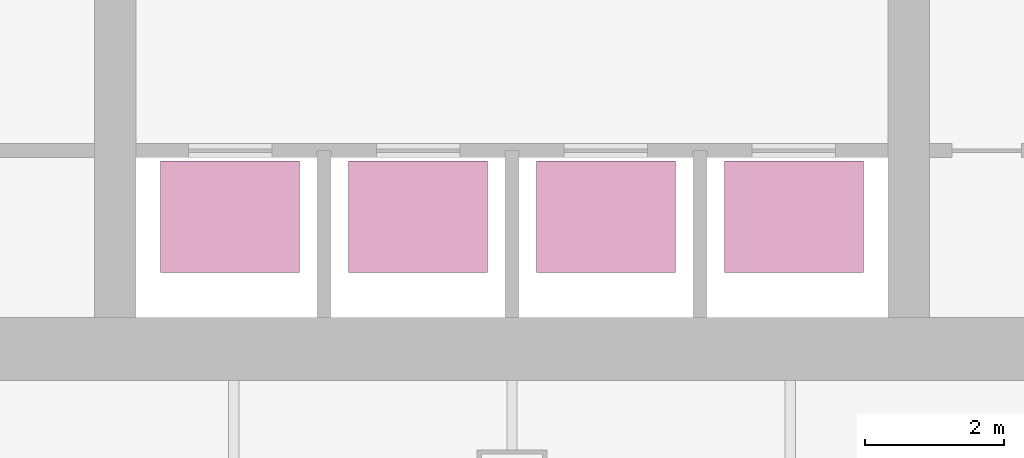
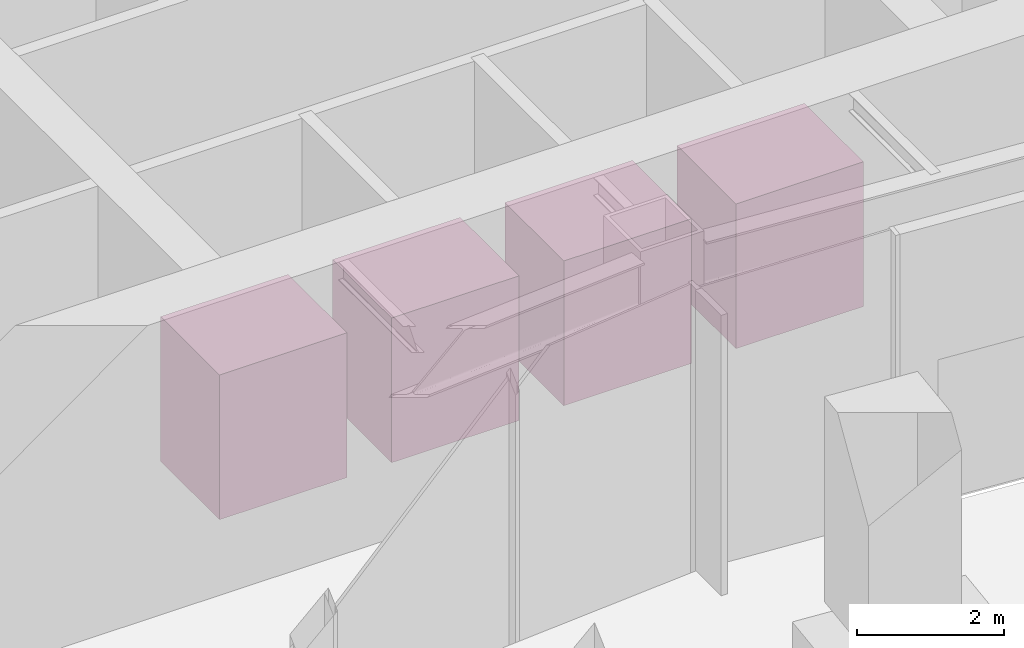
# One storey, part 15 of 16: 4 transport elements.
"""IFC4 building model written with IfcOpenShell, lengths in metres."""

import ifcopenshell
import ifcopenshell.guid

model = None  # the IFC model being written
_history = None  # IfcOwnerHistory: only IFC2X3 demands one
_inside = {}  # id of a spatial element -> (the spatial element, [elements in it])
_under = {}  # id of a project, library or spatial element -> (it, [spatial elements below it])
_declared = {}  # id of a project -> (the project, [libraries it declares])
_typed = {}  # id of a type object -> (the type object, [elements of that type])
_made_of = {}  # id of a material, layer set ... -> (it, [elements and type objects made of it])


def new_model(schema):
    """Start an empty IFC model of exactly this schema.

    Asked for "IFC4X3", IfcOpenShell would pick the latest addendum, in which some entities
    have other attributes; the version numbers below select the first issue.
    IFC2X3 requires an IfcOwnerHistory on every rooted entity: one is made here for all.
    """
    global model, _history
    if schema == "IFC4X3":
        model = ifcopenshell.file(schema_version=(4, 3, 0, 0))
    else:
        model = ifcopenshell.file(schema=schema)
    _inside.clear()
    _under.clear()
    _declared.clear()
    _typed.clear()
    _made_of.clear()
    _history = None
    if model.schema == "IFC2X3":
        org = make("IfcOrganization", Name="unknown")
        user = make(
            "IfcPersonAndOrganization",
            ThePerson=make("IfcPerson", FamilyName="unknown"),
            TheOrganization=org,
        )
        app = make(
            "IfcApplication",
            ApplicationDeveloper=org,
            Version="unknown",
            ApplicationFullName="unknown",
            ApplicationIdentifier="unknown",
        )
        _history = make(
            "IfcOwnerHistory",
            OwningUser=user,
            OwningApplication=app,
            ChangeAction="ADDED",
            CreationDate=0,
        )
    return model


def make(cls, **values):
    """One entity of the class cls with the attributes given. An attribute that is None is left unset."""
    return model.create_entity(
        cls, **{name: value for name, value in values.items() if value is not None}
    )


def rooted(cls, **values):
    """An entity with a GlobalId (a new one), such as an element, a storey or a relation."""
    return make(cls, GlobalId=ifcopenshell.guid.new(), OwnerHistory=_history, **values)


def si_unit(unit_type, name, prefix=None):
    """IfcSIUnit, for example si_unit("LENGTHUNIT", "METRE", prefix="MILLI")."""
    return make("IfcSIUnit", UnitType=unit_type, Prefix=prefix, Name=name)


def assignment(units):
    """IfcUnitAssignment: the units of a project."""
    return None if units is None else make("IfcUnitAssignment", Units=units)


def point(xyz):
    """IfcCartesianPoint."""
    return None if xyz is None else make("IfcCartesianPoint", Coordinates=xyz)


def direction(xyz):
    """IfcDirection."""
    return None if xyz is None else make("IfcDirection", DirectionRatios=xyz)


def frame(location, z_axis=None, x_axis=None):
    """IfcAxis2Placement3D, a coordinate frame: its origin and axes. An axis left out is left unset."""
    return make(
        "IfcAxis2Placement3D",
        Location=point(location),
        Axis=direction(z_axis),
        RefDirection=direction(x_axis),
    )


def frame_2d(location, x_axis=None):
    """IfcAxis2Placement2D, a coordinate frame in the plane: its origin and x axis."""
    return make(
        "IfcAxis2Placement2D", Location=point(location), RefDirection=direction(x_axis)
    )


def origin():
    """The frame at (0, 0, 0) with its axes left unset."""
    return frame((0.0, 0.0, 0.0))


def origin_2d():
    """The frame at (0, 0) in the plane with its x axis left unset."""
    return frame_2d((0.0, 0.0))


def place(relative_to, where):
    """IfcLocalPlacement: puts the frame where relative to a parent placement (None: the world)."""
    return make(
        "IfcLocalPlacement", PlacementRelTo=relative_to, RelativePlacement=where
    )


def context(
    kind, dimensions, precision=None, world=None, true_north=None, identifier=None
):
    """IfcGeometricRepresentationContext, for example the 3D "Model" context."""
    return make(
        "IfcGeometricRepresentationContext",
        ContextIdentifier=identifier,
        ContextType=kind,
        CoordinateSpaceDimension=dimensions,
        Precision=precision,
        WorldCoordinateSystem=world,
        TrueNorth=true_north,
    )


def subcontext(parent, identifier, kind, view, scale=None):
    """IfcGeometricRepresentationSubContext, for example "Body" below "Model"."""
    return make(
        "IfcGeometricRepresentationSubContext",
        ContextIdentifier=identifier,
        ContextType=kind,
        ParentContext=parent,
        TargetScale=scale,
        TargetView=view,
    )


def project(units=None, contexts=None):
    """IfcProject with its units and contexts."""
    return rooted(
        "IfcProject",
        Name="project",
        RepresentationContexts=contexts,
        UnitsInContext=assignment(units),
    )


def spatial(cls, under=None, at=None, **own):
    """A site, building, storey or space (cls), placed at a placement, below another one or the project."""
    s = rooted(cls, ObjectPlacement=at, **own)
    if under is not None:
        _under.setdefault(under.id(), (under, []))[1].append(s)
    return s


def profile(cls, at=None, kind="AREA", **sizes):
    """A parametric profile (cls). Its sizes go by their IFC names, for example OverallWidth=200.0."""
    return make(cls, ProfileType=kind, Position=at, **sizes)


def rectangle(**sizes):
    """IfcRectangleProfileDef."""
    return profile("IfcRectangleProfileDef", **sizes)


def extrude(swept, where, along, depth):
    """IfcExtrudedAreaSolid: the profile swept, set in the frame where, extruded along a direction by depth."""
    return make(
        "IfcExtrudedAreaSolid",
        SweptArea=swept,
        Position=where,
        ExtrudedDirection=direction(along),
        Depth=depth,
    )


def shape(context_of_items, identifier, shape_type, items):
    """IfcShapeRepresentation: the items that make up one representation, for example the "Body"."""
    return make(
        "IfcShapeRepresentation",
        ContextOfItems=context_of_items,
        RepresentationIdentifier=identifier,
        RepresentationType=shape_type,
        Items=items,
    )


def material(Name=None, Category=None):
    """IfcMaterial."""
    return make("IfcMaterial", Name=Name, Category=Category)


def made_of(thing, what):
    """Note that an element or type object is made of a material, layer set ...; save() writes the relation."""
    if what is not None:
        _made_of.setdefault(what.id(), (what, []))[1].append(thing)
    return thing


def type_object(cls, material=None, **own):
    """A type object (cls), such as IfcWallType, which elements share."""
    return made_of(rooted(cls, **own), material)


def element(
    cls,
    number,
    at=None,
    inside=None,
    cuts=None,
    type_object=None,
    material=None,
    context=None,
    identifier="Body",
    shape_type=None,
    held_by="IfcProductDefinitionShape",
    body=None,
    shapes=None,
    **own,
):
    """One element of the class cls, such as IfcWall. Its Tag is "e" and its number.

    at: its placement. inside: the storey or other place that contains it. cuts: it is an
    opening in that element (IfcRelVoidsElement). A single representation is given by context,
    identifier, shape_type and body (its items); several are given by shapes. held_by: the class
    of the entity that holds the representations. save() writes the other relations.
    """
    e = rooted(cls, Tag="e%d" % number, ObjectPlacement=at, **own)
    if body is not None:
        shapes = [shape(context, identifier, shape_type, body)]
    if shapes is not None:
        e.Representation = make(held_by, Representations=shapes)
    if inside is not None:
        _inside.setdefault(inside.id(), (inside, []))[1].append(e)
    if cuts is not None:
        rooted(
            "IfcRelVoidsElement", RelatingBuildingElement=cuts, RelatedOpeningElement=e
        )
    if type_object is not None:
        _typed.setdefault(type_object.id(), (type_object, []))[1].append(e)
    return made_of(e, material)


def aggregate(whole, parts):
    """IfcRelAggregates: a whole, such as a stair, and the parts it consists of."""
    return rooted("IfcRelAggregates", RelatingObject=whole, RelatedObjects=parts)


def save(model, path):
    """Write the relations noted so far, then the file.

    IfcRelAggregates (storeys below a building ...), IfcRelContainedInSpatialStructure (elements
    in a storey), IfcRelDefinesByType, IfcRelAssociatesMaterial and IfcRelDeclares: one each for
    every whole, place, type object, material and project.
    """
    for whole, parts in _under.values():
        aggregate(whole, parts)
    for where, things in _inside.values():
        rooted(
            "IfcRelContainedInSpatialStructure",
            RelatedElements=things,
            RelatingStructure=where,
        )
    for kind, things in _typed.values():
        rooted("IfcRelDefinesByType", RelatedObjects=things, RelatingType=kind)
    for what, things in _made_of.values():
        rooted("IfcRelAssociatesMaterial", RelatedObjects=things, RelatingMaterial=what)
    for by, libraries in _declared.values():
        rooted("IfcRelDeclares", RelatingContext=by, RelatedDefinitions=libraries)
    model.write(path)


model = new_model("IFC4")

# Units and contexts
model_context = context("Model", 3, precision=1e-05, world=origin(), true_north=direction((0.0, 1.0)))
body_context = subcontext(model_context, "Body", "Model", "MODEL_VIEW")
ifc_project = project(units=[si_unit("LENGTHUNIT", "METRE"), si_unit("AREAUNIT", "SQUARE_METRE"), si_unit("VOLUMEUNIT", "CUBIC_METRE"), si_unit("PLANEANGLEUNIT", "RADIAN"), si_unit("MASSUNIT", "GRAM", prefix="KILO")], contexts=[model_context])

# Site, building, storey
site_placement = place(None, origin())
site = spatial("IfcSite", under=ifc_project, at=site_placement, CompositionType="ELEMENT")
building_placement = place(site_placement, origin())
building = spatial("IfcBuilding", under=site, at=building_placement, Name="Verdant Reach Tower", CompositionType="ELEMENT")
storey_placement = place(building_placement, frame((0.0, 0.0, 177.0)))
storey = spatial("IfcBuildingStorey", under=building, at=storey_placement, Name="L40", CompositionType="ELEMENT", Elevation=177.0)

# Transport elements
ifc_material = material(Name="Steel", Category="steel")
transport_element_type = type_object("IfcTransportElementType", Name="CO-LIFT-PASSENGER", PredefinedType="ELEVATOR", material=ifc_material)
for number, where, z_axis, x_axis, name in (
    (1, (-4.050048828125, 19.85009765625, 0.0), (0.0, 0.0, 1.0), (1.0, 0.0, 0.0), "Passenger lift B1"),
    (2, (-1.35009765625, 19.85009765625, 0.0), (0.0, 0.0, 1.0), (1.0, 0.0, 0.0), "Passenger lift B2"),
    (3, (1.35009765625, 19.85009765625, 0.0), (0.0, 0.0, 1.0), (1.0, 0.0, 0.0), "Passenger lift B3"),
    (4, (4.050048828125, 19.85009765625, 0.0), (0.0, 0.0, 1.0), (1.0, 0.0, 0.0), "Passenger lift B4"),
):
    element("IfcTransportElement", number, at=place(storey_placement, frame(where, z_axis=z_axis, x_axis=x_axis)), inside=storey, type_object=transport_element_type, Name=name, PredefinedType="ELEVATOR", context=body_context, shape_type="SweptSolid", body=[
        extrude(rectangle(XDim=2.0, YDim=1.60009765625, at=origin_2d()), origin(), (0.0, 0.0, 1.0), 2.39990234375),
    ])

save(model, "model.ifc")
